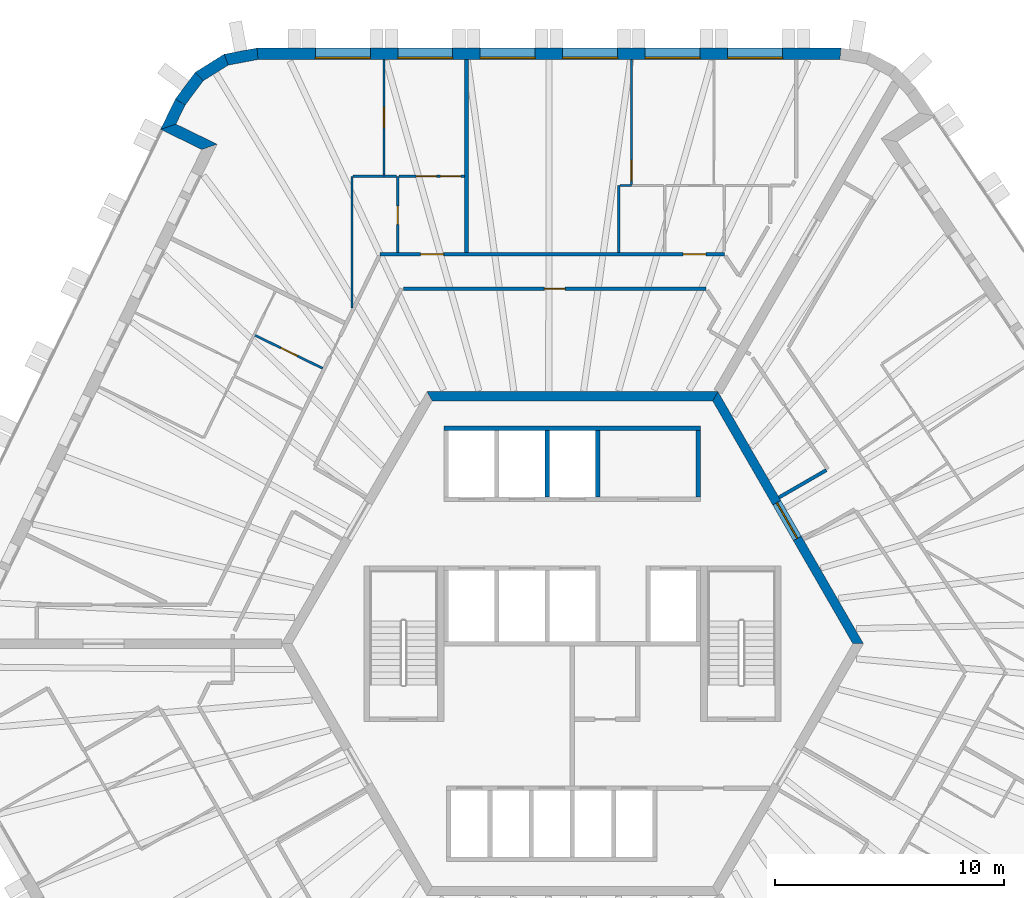
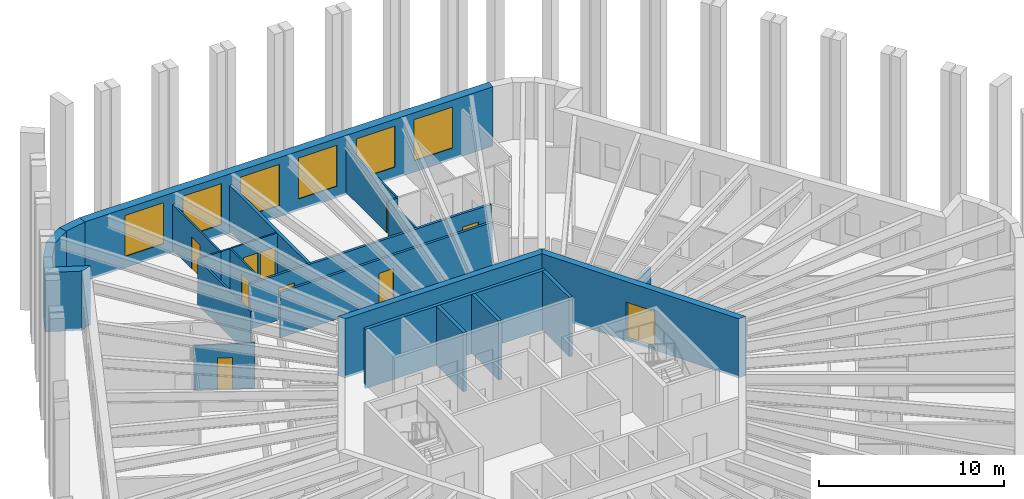
# One storey, part 9 of 13: 26 walls, 10 doors, 6 windows, 16 openings.
"""IFC4 building model written with IfcOpenShell, lengths in metres."""

from ifc_helpers import new_model, si_unit, direction, frame, frame_2d, origin, place, context, subcontext, project, spatial, polyline, rectangle, outline, extrude, material, layer, layer_set, type_object, element, fill, save


model = new_model("IFC4")

# Units and contexts
model_context = context("Model", 3, precision=1e-05, world=origin(), true_north=direction((0.0, 1.0)))
body_context = subcontext(model_context, "Body", "Model", "MODEL_VIEW")
ifc_project = project(units=[si_unit("LENGTHUNIT", "METRE"), si_unit("AREAUNIT", "SQUARE_METRE"), si_unit("VOLUMEUNIT", "CUBIC_METRE"), si_unit("PLANEANGLEUNIT", "RADIAN"), si_unit("MASSUNIT", "GRAM", prefix="KILO")], contexts=[model_context])

# Site, building, storey
site_placement = place(None, origin())
site = spatial("IfcSite", under=ifc_project, at=site_placement, CompositionType="ELEMENT")
building_placement = place(site_placement, origin())
building = spatial("IfcBuilding", under=site, at=building_placement, Name="Tarnside Tower", CompositionType="ELEMENT")
storey_placement = place(building_placement, frame((0.0, 0.0, 267.89990234375)))
storey = spatial("IfcBuildingStorey", under=building, at=storey_placement, Name="L64", CompositionType="ELEMENT", Elevation=267.89990234375)

# Walls
ifc_material_1 = material(Name="Gypsum board partition on steel studs", Category="steel")
ifc_layer_1 = layer(ifc_material_1, 0.10009765625)
ifc_layer_set_1 = layer_set([ifc_layer_1], Name="Bathroom wall 100")
wall_type_1 = type_object("IfcWallType", Name="Bathroom wall 100", PredefinedType="PARTITIONING", material=ifc_layer_set_1)
wall_1_placement = place(storey_placement, frame((2.026611328125, 17.074951171875, 0.0), z_axis=(0.0, 0.0, 1.0), x_axis=(0.0, 1.0, 0.0)))
element("IfcWall", 1, at=wall_1_placement, inside=storey, type_object=wall_type_1, Name="Bathroom wall 21086", PredefinedType="PARTITIONING", context=body_context, shape_type="SweptSolid", body=[
    extrude(rectangle(XDim=2.925048828125, YDim=0.10009765625, at=frame_2d((1.46240234375, 0.0))), origin(), (0.0, 0.0, 1.0), 2.98779296875),
])
wall_2_placement = place(storey_placement, frame((2.07666015625, 20.0, 0.0), z_axis=(0.0, 0.0, 1.0), x_axis=(1.0, 0.0, 0.0)))
element("IfcWall", 2, at=wall_2_placement, inside=storey, type_object=wall_type_1, Name="Bathroom wall 21087", PredefinedType="PARTITIONING", context=body_context, shape_type="SweptSolid", body=[
    extrude(rectangle(XDim=0.50048828125, YDim=0.10009765625, at=frame_2d((0.250244140625, 0.0))), origin(), (0.0, 0.0, 1.0), 2.98779296875),
])
wall_3_placement = place(storey_placement, frame((-9.624755859375, 14.655029296875, 0.0), z_axis=(0.0, 0.0, 1.0), x_axis=(0.0, 1.0, 0.0)))
element("IfcWall", 3, at=wall_3_placement, inside=storey, type_object=wall_type_1, Name="Bathroom wall 21098", PredefinedType="PARTITIONING", context=body_context, shape_type="SweptSolid", body=[
    extrude(rectangle(XDim=5.744873046875, YDim=0.10009765625, at=frame_2d((2.87255859375, 0.0))), origin(), (0.0, 0.0, 1.0), 2.98779296875),
])
wall_4_placement = place(storey_placement, frame((-9.57470703125, 20.39990234375, 0.0), z_axis=(0.0, 0.0, 1.0), x_axis=(1.0, 0.0, 0.0)))
element("IfcWall", 4, at=wall_4_placement, inside=storey, type_object=wall_type_1, Name="Bathroom wall 21099", PredefinedType="PARTITIONING", context=body_context, shape_type="SweptSolid", body=[
    extrude(rectangle(XDim=1.351806640625, YDim=0.10009765625, at=frame_2d((0.67578125, 0.0))), origin(), (0.0, 0.0, 1.0), 2.98779296875),
])

# Wall, opening, door
wall_5_placement = place(storey_placement, frame((-7.624755859375, 20.39990234375, 0.0), z_axis=(0.0, 0.0, 1.0), x_axis=(0.0, -1.0, 0.0)))
wall_5 = element("IfcWall", 5, at=wall_5_placement, inside=storey, type_object=wall_type_1, Name="Bathroom wall 21103", PredefinedType="PARTITIONING", context=body_context, shape_type="SweptSolid", body=[
    extrude(rectangle(XDim=3.324951171875, YDim=0.10009765625, at=frame_2d((1.66259765625, 0.0))), origin(), (0.0, 0.0, 1.0), 2.98779296875),
])
opening_1_placement = place(wall_5_placement, frame((1.300048828125, 0.0, 0.0)))
opening_1 = element("IfcOpeningElement", 6, at=opening_1_placement, cuts=wall_5, Name="Opening D-B1", PredefinedType="OPENING", context=body_context, shape_type="SweptSolid", body=[
    extrude(rectangle(XDim=0.800048828125, YDim=2.10009765625, at=frame_2d((0.39990234375, 1.050048828125))), frame((0.0, 0.06005859375, 0.0), z_axis=(0.0, -1.0, 0.0), x_axis=(1.0, 0.0, 0.0)), (0.0, 0.0, 1.0), 0.1201171875),
])
ifc_material_2 = material(Name="Timber door leaf", Category="wood")
door_type_1 = type_object("IfcDoorType", Name="Bathroom door 800", OperationType="NOTDEFINED", PredefinedType="DOOR", material=ifc_material_2)
door_1_placement = place(opening_1_placement, origin())
door_1 = element("IfcDoor", 7, at=door_1_placement, inside=storey, type_object=door_type_1, Name="Bathroom door 21013", OperationType="SINGLE_SWING_LEFT", OverallHeight=2.10009765625, OverallWidth=0.800048828125, PredefinedType="DOOR", context=body_context, shape_type="SweptSolid", body=[
    extrude(rectangle(XDim=0.800048828125, YDim=2.10009765625, at=frame_2d((0.39990234375, 1.050048828125))), frame((0.0, 0.02490234375, 0.0), z_axis=(0.0, -1.0, 0.0), x_axis=(1.0, 0.0, 0.0)), (0.0, 0.0, 1.0), 0.050048828125),
])
fill(opening_1, door_1)

# Wall
wall_6_placement = place(storey_placement, frame((-7.6728515625, 20.39990234375, 0.0), z_axis=(0.0, 0.0, 1.0), x_axis=(-1.0, 0.0, 0.0)))
element("IfcWall", 8, at=wall_6_placement, inside=storey, type_object=wall_type_1, Name="Bathroom wall 21105", PredefinedType="PARTITIONING", context=body_context, shape_type="SweptSolid", body=[
    extrude(rectangle(XDim=0.552001953125, YDim=0.10009765625, at=frame_2d((0.27587890625, 0.0))), origin(), (0.0, 0.0, 1.0), 2.98779296875),
])

# Wall, opening, door
wall_7_placement = place(storey_placement, frame((-13.896728515625, 13.48095703125, 0.0), z_axis=(0.0, 0.0, 1.0), x_axis=(0.898803726577, -0.438351298723, 0.0)))
wall_7 = element("IfcWall", 9, at=wall_7_placement, inside=storey, type_object=wall_type_1, Name="Bathroom wall 21110", PredefinedType="PARTITIONING", context=body_context, shape_type="SweptSolid", body=[
    extrude(rectangle(XDim=3.324951171875, YDim=0.10009765625, at=frame_2d((1.66259765625, 0.0))), origin(), (0.0, 0.0, 1.0), 2.98779296875),
])
opening_2_placement = place(wall_7_placement, frame((1.300048828125, 0.0, 0.0)))
opening_2 = element("IfcOpeningElement", 10, at=opening_2_placement, cuts=wall_7, Name="Opening D-B1", PredefinedType="OPENING", context=body_context, shape_type="SweptSolid", body=[
    extrude(rectangle(XDim=0.800048828125, YDim=2.10009765625, at=frame_2d((0.39990234375, 1.050048828125))), frame((0.0, 0.06005859375, 0.0), z_axis=(0.0, -1.0, 0.0), x_axis=(1.0, 0.0, 0.0)), (0.0, 0.0, 1.0), 0.1201171875),
])
door_2_placement = place(opening_2_placement, origin())
door_2 = element("IfcDoor", 11, at=door_2_placement, inside=storey, type_object=door_type_1, Name="Bathroom door 21018", OperationType="SINGLE_SWING_LEFT", OverallHeight=2.10009765625, OverallWidth=0.800048828125, PredefinedType="DOOR", context=body_context, shape_type="SweptSolid", body=[
    extrude(rectangle(XDim=0.800048828125, YDim=2.10009765625, at=frame_2d((0.39990234375, 1.050048828125))), frame((0.0, 0.02490234375, 0.0), z_axis=(0.0, -1.0, 0.0), x_axis=(1.0, 0.0, 0.0)), (0.0, 0.0, 1.0), 0.050048828125),
])
fill(opening_2, door_2)

ifc_material_3 = material(Name="Concrete C60/75", Category="concrete")
ifc_layer_2 = layer(ifc_material_3, 0.39990234375)
ifc_layer_set_2 = layer_set([ifc_layer_2], Name="Core wall Z3 400 C60/75")
wall_type_2 = type_object("IfcWallType", Name="Core wall Z3 400 C60/75", PredefinedType="SHEAR", material=ifc_layer_set_2)
wall_8_placement = place(storey_placement, frame((12.470703125, 0.0, -0.14990234375), z_axis=(0.0, 0.0, 1.0), x_axis=(-0.499996419489, 0.866027470984, 0.0)))
wall_8 = element("IfcWall", 12, at=wall_8_placement, inside=storey, type_object=wall_type_2, Name="L64 core wall face 6", PredefinedType="SHEAR", context=body_context, shape_type="SweptSolid", body=[
    extrude(outline(polyline([(-0.115478515625, -0.199951171875), (12.586181640625, -0.199951171875), (12.355224609375, 0.199951171875), (0.115478515625, 0.199951171875), (-0.115478515625, -0.199951171875)])), origin(), (0.0, 0.0, 1.0), 3.89990234375),
])
opening_3_placement = place(wall_8_placement, frame((5.306396484375, 0.0, 0.14990234375)))
opening_3 = element("IfcOpeningElement", 13, at=opening_3_placement, cuts=wall_8, Name="Opening CD-LOB", PredefinedType="OPENING", context=body_context, shape_type="SweptSolid", body=[
    extrude(rectangle(XDim=1.800048828125, YDim=2.39990234375, at=frame_2d((0.89990234375, 1.199951171875))), frame((0.0, 0.2099609375, 0.0), z_axis=(0.0, -1.0, 0.0), x_axis=(1.0, 0.0, 0.0)), (0.0, 0.0, 1.0), 0.419921875),
])
ifc_material_4 = material(Name="Steel fire door", Category="steel")
door_type_2 = type_object("IfcDoorType", Name="Lobby double door FD30S 1800x2400", OperationType="NOTDEFINED", PredefinedType="DOOR", material=ifc_material_4)
door_3_placement = place(opening_3_placement, origin())
door_3 = element("IfcDoor", 14, at=door_3_placement, inside=storey, type_object=door_type_2, Name="L64 core door P2", OperationType="DOUBLE_DOOR_SINGLE_SWING", OverallHeight=2.39990234375, OverallWidth=1.800048828125, PredefinedType="DOOR", context=body_context, shape_type="SweptSolid", body=[
    extrude(rectangle(XDim=1.800048828125, YDim=2.39990234375, at=frame_2d((0.89990234375, 1.199951171875))), frame((0.0, 0.02490234375, 0.0), z_axis=(0.0, -1.0, 0.0), x_axis=(1.0, 0.0, 0.0)), (0.0, 0.0, 1.0), 0.050048828125),
])
fill(opening_3, door_3)

# Wall
wall_9_placement = place(storey_placement, frame((6.2353515625, 10.800048828125, -0.14990234375), z_axis=(0.0, 0.0, 1.0), x_axis=(-1.0, 0.0, 0.0)))
element("IfcWall", 15, at=wall_9_placement, inside=storey, type_object=wall_type_2, Name="L64 core wall face 1", PredefinedType="SHEAR", context=body_context, shape_type="SweptSolid", body=[
    extrude(outline(polyline([(-0.115478515625, -0.199951171875), (12.586181640625, -0.199951171875), (12.355224609375, 0.199951171875), (0.115478515625, 0.199951171875), (-0.115478515625, -0.199951171875)])), origin(), (0.0, 0.0, 1.0), 3.89990234375),
])

# Wall, openings, doors
ifc_layer_3 = layer(ifc_material_1, 0.14990234375)
ifc_layer_set_3 = layer_set([ifc_layer_3], Name="Corridor wall 150 EI 60")
wall_type_3 = type_object("IfcWallType", Name="Corridor wall 150 EI 60", PredefinedType="PARTITIONING", material=ifc_layer_set_3)
wall_10_placement = place(storey_placement, frame((6.626708984375, 17.0, 0.0), z_axis=(0.0, 0.0, 1.0), x_axis=(-1.0, 0.0, 0.0)))
wall_10 = element("IfcWall", 16, at=wall_10_placement, inside=storey, type_object=wall_type_3, Name="Corridor wall 21001", PredefinedType="PARTITIONING", context=body_context, shape_type="SweptSolid", body=[
    extrude(rectangle(XDim=15.024169921875, YDim=0.14990234375, at=frame_2d((7.51220703125, 0.0))), origin(), (0.0, 0.0, 1.0), 2.98779296875),
])
opening_4_placement = place(wall_10_placement, frame((0.800048828125, 0.0, 0.0)))
opening_4 = element("IfcOpeningElement", 17, at=opening_4_placement, cuts=wall_10, Name="Opening D-E1", PredefinedType="OPENING", context=body_context, shape_type="SweptSolid", body=[
    extrude(rectangle(XDim=1.0, YDim=2.10009765625, at=frame_2d((0.5, 1.050048828125))), frame((0.0, 0.0849609375, 0.0), z_axis=(0.0, -1.0, 0.0), x_axis=(1.0, 0.0, 0.0)), (0.0, 0.0, 1.0), 0.169921875),
])
opening_5_placement = place(wall_10_placement, frame((12.25146484375, 0.0, 0.0)))
opening_5 = element("IfcOpeningElement", 18, at=opening_5_placement, cuts=wall_10, Name="Opening D-E1", PredefinedType="OPENING", context=body_context, shape_type="SweptSolid", body=[
    extrude(rectangle(XDim=1.0, YDim=2.10009765625, at=frame_2d((0.5, 1.050048828125))), frame((0.0, 0.0849609375, 0.0), z_axis=(0.0, -1.0, 0.0), x_axis=(1.0, 0.0, 0.0)), (0.0, 0.0, 1.0), 0.169921875),
])
door_type_3 = type_object("IfcDoorType", Name="Unit entrance door 1000 FD30S", OperationType="NOTDEFINED", PredefinedType="DOOR", material=ifc_material_2)
door_4_placement = place(opening_4_placement, origin())
door_4 = element("IfcDoor", 19, at=door_4_placement, inside=storey, type_object=door_type_3, Name="Unit door 21001", OperationType="SINGLE_SWING_LEFT", OverallHeight=2.10009765625, OverallWidth=1.0, PredefinedType="DOOR", context=body_context, shape_type="SweptSolid", body=[
    extrude(rectangle(XDim=1.0, YDim=2.10009765625, at=frame_2d((0.5, 1.050048828125))), frame((0.0, 0.02490234375, 0.0), z_axis=(0.0, -1.0, 0.0), x_axis=(1.0, 0.0, 0.0)), (0.0, 0.0, 1.0), 0.050048828125),
])
fill(opening_4, door_4)
door_5_placement = place(opening_5_placement, origin())
door_5 = element("IfcDoor", 20, at=door_5_placement, inside=storey, type_object=door_type_3, Name="Unit door 21012", OperationType="SINGLE_SWING_LEFT", OverallHeight=2.10009765625, OverallWidth=1.0, PredefinedType="DOOR", context=body_context, shape_type="SweptSolid", body=[
    extrude(rectangle(XDim=1.0, YDim=2.10009765625, at=frame_2d((0.5, 1.050048828125))), frame((0.0, 0.02490234375, 0.0), z_axis=(0.0, -1.0, 0.0), x_axis=(1.0, 0.0, 0.0)), (0.0, 0.0, 1.0), 0.050048828125),
])
fill(opening_5, door_5)

# Wall, opening, door
wall_11_placement = place(storey_placement, frame((-7.376708984375, 15.5, 0.0), z_axis=(0.0, 0.0, 1.0), x_axis=(1.0, 0.0, 0.0)))
wall_11 = element("IfcWall", 21, at=wall_11_placement, inside=storey, type_object=wall_type_3, Name="Corridor wall 21022", PredefinedType="PARTITIONING", context=body_context, shape_type="SweptSolid", body=[
    extrude(rectangle(XDim=13.205810546875, YDim=0.14990234375, at=frame_2d((6.60302734375, 0.0))), origin(), (0.0, 0.0, 1.0), 2.98779296875),
])
opening_6_placement = place(wall_11_placement, frame((6.15283203125, 0.0, 0.0)))
opening_6 = element("IfcOpeningElement", 22, at=opening_6_placement, cuts=wall_11, Name="Opening D-S1", PredefinedType="OPENING", context=body_context, shape_type="SweptSolid", body=[
    extrude(rectangle(XDim=0.89990234375, YDim=2.10009765625, at=frame_2d((0.449951171875, 1.050048828125))), frame((0.0, 0.0849609375, 0.0), z_axis=(0.0, -1.0, 0.0), x_axis=(1.0, 0.0, 0.0)), (0.0, 0.0, 1.0), 0.169921875),
])
door_type_4 = type_object("IfcDoorType", Name="Service room door 900 FD30S", OperationType="NOTDEFINED", PredefinedType="DOOR", material=ifc_material_2)
door_6_placement = place(opening_6_placement, origin())
door_6 = element("IfcDoor", 23, at=door_6_placement, inside=storey, type_object=door_type_4, Name="Service door 21069", OperationType="SINGLE_SWING_LEFT", OverallHeight=2.10009765625, OverallWidth=0.89990234375, PredefinedType="DOOR", context=body_context, shape_type="SweptSolid", body=[
    extrude(rectangle(XDim=0.89990234375, YDim=2.10009765625, at=frame_2d((0.449951171875, 1.050048828125))), frame((0.0, 0.02490234375, 0.0), z_axis=(0.0, -1.0, 0.0), x_axis=(1.0, 0.0, 0.0)), (0.0, 0.0, 1.0), 0.050048828125),
])
fill(opening_6, door_6)

# Walls
wall_12_placement = place(storey_placement, frame((11.082275390625, 7.57763671875, 0.0), z_axis=(0.0, 0.0, 1.0), x_axis=(-0.865993065409, -0.500056007527, 0.0)))
element("IfcWall", 24, at=wall_12_placement, inside=storey, type_object=wall_type_3, Name="Corridor wall 21085", PredefinedType="PARTITIONING", context=body_context, shape_type="SweptSolid", body=[
    extrude(rectangle(XDim=2.386474609375, YDim=0.14990234375, at=frame_2d((1.193359375, 0.0))), origin(), (0.0, 0.0, 1.0), 2.98779296875),
])
ifc_layer_4 = layer(ifc_material_1, 0.179931640625)
ifc_layer_set_4 = layer_set([ifc_layer_4], Name="Demising wall 180 EI 60")
wall_type_4 = type_object("IfcWallType", Name="Demising wall 180 EI 60", PredefinedType="PARTITIONING", material=ifc_layer_set_4)
wall_13_placement = place(storey_placement, frame((-4.624755859375, 25.5, 0.0), z_axis=(0.0, 0.0, 1.0), x_axis=(0.0, -1.0, 0.0)))
element("IfcWall", 25, at=wall_13_placement, inside=storey, type_object=wall_type_4, Name="Demising wall 21089", PredefinedType="PARTITIONING", context=body_context, shape_type="SweptSolid", body=[
    extrude(rectangle(XDim=8.425048828125, YDim=0.179931640625, at=frame_2d((4.21240234375, 0.0))), origin(), (0.0, 0.0, 1.0), 2.98779296875),
])
ifc_material_5 = material(Name="Concrete C40/50", Category="concrete")
ifc_layer_5 = layer(ifc_material_5, 0.199951171875)
ifc_layer_set_5 = layer_set([ifc_layer_5], Name="Lift shaft wall 200 C40/50")
wall_type_5 = type_object("IfcWallType", Name="Lift shaft wall 200 C40/50", PredefinedType="SHEAR", material=ifc_layer_set_5)
wall_14_placement = place(storey_placement, frame((-5.60009765625, 9.39990234375, -0.25), z_axis=(0.0, 0.0, 1.0), x_axis=(1.0, 0.0, 0.0)))
element("IfcWall", 26, at=wall_14_placement, inside=storey, type_object=wall_type_5, Name="L64 lift shaft back wall R1", PredefinedType="SHEAR", context=body_context, shape_type="SweptSolid", body=[
    extrude(rectangle(XDim=11.2001953125, YDim=0.199951171875, at=frame_2d((5.60009765625, 0.0))), origin(), (0.0, 0.0, 1.0), 3.900146484375),
])
for number, where, z_axis, x_axis, name in (
    (27, (-1.10009765625, 6.39990234375, -0.25), (0.0, 0.0, 1.0), (0.0, 1.0, 0.0), "L64 lift shaft partition R13"),
    (28, (1.10009765625, 6.39990234375, -0.25), (0.0, 0.0, 1.0), (0.0, 1.0, 0.0), "L64 lift shaft partition R14"),
    (29, (5.5, 6.39990234375, -0.25), (0.0, 0.0, 1.0), (0.0, 1.0, 0.0), "L64 lift shaft partition R16"),
):
    element("IfcWall", number, at=place(storey_placement, frame(where, z_axis=z_axis, x_axis=x_axis)), inside=storey, type_object=wall_type_5, Name=name, PredefinedType="SHEAR", context=body_context, shape_type="SweptSolid", body=[
        extrude(rectangle(XDim=2.900146484375, YDim=0.199951171875, at=frame_2d((1.4501953125, 0.0))), origin(), (0.0, 0.0, 1.0), 3.900146484375),
    ])
ifc_material_6 = material(Name="Dark zinc cladding")
ifc_layer_6 = layer(ifc_material_6, 0.10205078125)
ifc_material_7 = material(Name="Concrete C60/75 precast", Category="concrete")
ifc_layer_7 = layer(ifc_material_7, 0.298095703125)
ifc_material_8 = material(Name="Mineral wool insulation")
ifc_layer_8 = layer(ifc_material_8, 0.10009765625)
ifc_layer_set_6 = layer_set([ifc_layer_6, ifc_layer_7, ifc_layer_8], Name="Loggia wall 500 zinc faced")
wall_type_6 = type_object("IfcWallType", Name="Loggia wall 500 zinc faced", PredefinedType="SOLIDWALL", material=ifc_layer_set_6)
wall_15_placement = place(storey_placement, frame((-17.11767578125, 23.643798828125, -0.14990234375), z_axis=(0.0, 0.0, 1.0), x_axis=(-0.438319390103, -0.898819287877, 0.0)))
element("IfcWall", 30, at=wall_15_placement, inside=storey, type_object=wall_type_6, Name="Tube wall L64 F2 stub 04", PredefinedType="SOLIDWALL", context=body_context, shape_type="SweptSolid", body=[
    extrude(outline(polyline([(-0.0234375, -0.25), (1.44970703125, -0.25), (0.94970703125, 0.25), (0.0234375, 0.25), (-0.0234375, -0.25)])), origin(), (0.0, 0.0, 1.0), 3.89990234375),
])
wall_16_placement = place(storey_placement, frame((-17.6435546875, 22.5654296875, -0.14990234375), z_axis=(0.0, 0.0, 1.0), x_axis=(0.898754367686, -0.43845249066, 0.0)))
element("IfcWall", 31, at=wall_16_placement, inside=storey, type_object=wall_type_6, Name="Tube wall L64 F2 return 05", PredefinedType="SOLIDWALL", context=body_context, shape_type="SweptSolid", body=[
    extrude(outline(polyline([(-0.25, -0.25), (1.75, -0.25), (2.25, 0.25), (0.25, 0.25), (-0.25, -0.25)])), origin(), (0.0, 0.0, 1.0), 3.89990234375),
])

# Wall, opening, door
ifc_layer_9 = layer(ifc_material_1, 0.10009765625)
ifc_layer_set_7 = layer_set([ifc_layer_9], Name="Partition 100")
wall_type_7 = type_object("IfcWallType", Name="Partition 100", PredefinedType="PARTITIONING", material=ifc_layer_set_7)
wall_17_placement = place(storey_placement, frame((2.5751953125, 20.050048828125, 0.0), z_axis=(0.0, 0.0, 1.0), x_axis=(0.0, 1.0, 0.0)))
wall_17 = element("IfcWall", 32, at=wall_17_placement, inside=storey, type_object=wall_type_7, Name="Partition wall 21088", PredefinedType="PARTITIONING", context=body_context, shape_type="SweptSolid", body=[
    extrude(rectangle(XDim=5.449951171875, YDim=0.10009765625, at=frame_2d((2.72509765625, 0.0))), origin(), (0.0, 0.0, 1.0), 2.98779296875),
])
opening_7_placement = place(wall_17_placement, frame((0.14990234375, 0.0, 0.0)))
opening_7 = element("IfcOpeningElement", 33, at=opening_7_placement, cuts=wall_17, Name="Opening D-I1", PredefinedType="OPENING", context=body_context, shape_type="SweptSolid", body=[
    extrude(rectangle(XDim=0.89990234375, YDim=2.10009765625, at=frame_2d((0.449951171875, 1.050048828125))), frame((0.0, 0.06005859375, 0.0), z_axis=(0.0, -1.0, 0.0), x_axis=(1.0, 0.0, 0.0)), (0.0, 0.0, 1.0), 0.1201171875),
])
door_type_5 = type_object("IfcDoorType", Name="Internal door 900", OperationType="NOTDEFINED", PredefinedType="DOOR", material=ifc_material_2)
door_7_placement = place(opening_7_placement, origin())
door_7 = element("IfcDoor", 34, at=door_7_placement, inside=storey, type_object=door_type_5, Name="Internal door 21010", OperationType="SINGLE_SWING_RIGHT", OverallHeight=2.10009765625, OverallWidth=0.89990234375, PredefinedType="DOOR", context=body_context, shape_type="SweptSolid", body=[
    extrude(rectangle(XDim=0.89990234375, YDim=2.10009765625, at=frame_2d((0.449951171875, 1.050048828125))), frame((0.0, 0.02490234375, 0.0), z_axis=(0.0, -1.0, 0.0), x_axis=(1.0, 0.0, 0.0)), (0.0, 0.0, 1.0), 0.050048828125),
])
fill(opening_7, door_7)

wall_18_placement = place(storey_placement, frame((-8.224853515625, 20.449951171875, 0.0), z_axis=(0.0, 0.0, 1.0), x_axis=(0.0, 1.0, 0.0)))
wall_18 = element("IfcWall", 35, at=wall_18_placement, inside=storey, type_object=wall_type_7, Name="Partition wall 21100", PredefinedType="PARTITIONING", context=body_context, shape_type="SweptSolid", body=[
    extrude(rectangle(XDim=5.050048828125, YDim=0.10009765625, at=frame_2d((2.52490234375, 0.0))), origin(), (0.0, 0.0, 1.0), 2.98779296875),
])
opening_8_placement = place(wall_18_placement, frame((2.074951171875, 0.0, 0.0)))
opening_8 = element("IfcOpeningElement", 36, at=opening_8_placement, cuts=wall_18, Name="Opening D-I1", PredefinedType="OPENING", context=body_context, shape_type="SweptSolid", body=[
    extrude(rectangle(XDim=0.89990234375, YDim=2.10009765625, at=frame_2d((0.449951171875, 1.050048828125))), frame((0.0, 0.06005859375, 0.0), z_axis=(0.0, -1.0, 0.0), x_axis=(1.0, 0.0, 0.0)), (0.0, 0.0, 1.0), 0.1201171875),
])
door_8_placement = place(opening_8_placement, origin())
door_8 = element("IfcDoor", 37, at=door_8_placement, inside=storey, type_object=door_type_5, Name="Internal door 21068", OperationType="SINGLE_SWING_RIGHT", OverallHeight=2.10009765625, OverallWidth=0.89990234375, PredefinedType="DOOR", context=body_context, shape_type="SweptSolid", body=[
    extrude(rectangle(XDim=0.89990234375, YDim=2.10009765625, at=frame_2d((0.449951171875, 1.050048828125))), frame((0.0, 0.02490234375, 0.0), z_axis=(0.0, -1.0, 0.0), x_axis=(1.0, 0.0, 0.0)), (0.0, 0.0, 1.0), 0.050048828125),
])
fill(opening_8, door_8)

# Wall, openings, doors
wall_19_placement = place(storey_placement, frame((-4.71484375, 20.39990234375, 0.0), z_axis=(0.0, 0.0, 1.0), x_axis=(-1.0, 0.0, 0.0)))
wall_19 = element("IfcWall", 38, at=wall_19_placement, inside=storey, type_object=wall_type_7, Name="Partition wall 21104", PredefinedType="PARTITIONING", context=body_context, shape_type="SweptSolid", body=[
    extrude(rectangle(XDim=2.862060546875, YDim=0.10009765625, at=frame_2d((1.43115234375, 0.0))), origin(), (0.0, 0.0, 1.0), 2.98779296875),
])
opening_9_placement = place(wall_19_placement, frame((0.14990234375, 0.0, 0.0)))
opening_9 = element("IfcOpeningElement", 39, at=opening_9_placement, cuts=wall_19, Name="Opening D-I1", PredefinedType="OPENING", context=body_context, shape_type="SweptSolid", body=[
    extrude(rectangle(XDim=0.89990234375, YDim=2.10009765625, at=frame_2d((0.449951171875, 1.050048828125))), frame((0.0, 0.06005859375, 0.0), z_axis=(0.0, -1.0, 0.0), x_axis=(1.0, 0.0, 0.0)), (0.0, 0.0, 1.0), 0.1201171875),
])
opening_10_placement = place(wall_19_placement, frame((1.2099609375, 0.0, 0.0)))
opening_10 = element("IfcOpeningElement", 40, at=opening_10_placement, cuts=wall_19, Name="Opening D-I1", PredefinedType="OPENING", context=body_context, shape_type="SweptSolid", body=[
    extrude(rectangle(XDim=0.89990234375, YDim=2.10009765625, at=frame_2d((0.449951171875, 1.050048828125))), frame((0.0, 0.06005859375, 0.0), z_axis=(0.0, -1.0, 0.0), x_axis=(1.0, 0.0, 0.0)), (0.0, 0.0, 1.0), 0.1201171875),
])
door_9_placement = place(opening_9_placement, origin())
door_9 = element("IfcDoor", 41, at=door_9_placement, inside=storey, type_object=door_type_5, Name="Internal door 21015", OperationType="SINGLE_SWING_LEFT", OverallHeight=2.10009765625, OverallWidth=0.89990234375, PredefinedType="DOOR", context=body_context, shape_type="SweptSolid", body=[
    extrude(rectangle(XDim=0.89990234375, YDim=2.10009765625, at=frame_2d((0.449951171875, 1.050048828125))), frame((0.0, 0.02490234375, 0.0), z_axis=(0.0, -1.0, 0.0), x_axis=(1.0, 0.0, 0.0)), (0.0, 0.0, 1.0), 0.050048828125),
])
fill(opening_9, door_9)
door_10_placement = place(opening_10_placement, origin())
door_10 = element("IfcDoor", 42, at=door_10_placement, inside=storey, type_object=door_type_5, Name="Internal door 21016", OperationType="SINGLE_SWING_LEFT", OverallHeight=2.10009765625, OverallWidth=0.89990234375, PredefinedType="DOOR", context=body_context, shape_type="SweptSolid", body=[
    extrude(rectangle(XDim=0.89990234375, YDim=2.10009765625, at=frame_2d((0.449951171875, 1.050048828125))), frame((0.0, 0.02490234375, 0.0), z_axis=(0.0, -1.0, 0.0), x_axis=(1.0, 0.0, 0.0)), (0.0, 0.0, 1.0), 0.050048828125),
])
fill(opening_10, door_10)

# Wall, openings, windows
ifc_material_9 = material(Name="Facing brick", Category="masonry")
ifc_layer_10 = layer(ifc_material_9, 0.10205078125)
ifc_layer_11 = layer(ifc_material_7, 0.298095703125)
ifc_layer_12 = layer(ifc_material_8, 0.10009765625)
ifc_layer_set_8 = layer_set([ifc_layer_10, ifc_layer_11, ifc_layer_12], Name="Tube wall 500 brick faced")
wall_type_8 = type_object("IfcWallType", Name="Tube wall 500 brick faced", PredefinedType="SOLIDWALL", material=ifc_layer_set_8)
wall_20_placement = place(storey_placement, frame((11.697509765625, 25.75, -0.14990234375), z_axis=(0.0, 0.0, 1.0), x_axis=(-1.0, 0.0, 0.0)))
wall_20 = element("IfcWall", 43, at=wall_20_placement, inside=storey, type_object=wall_type_8, Name="Tube wall L64 F1 flush 00", PredefinedType="SOLIDWALL", context=body_context, shape_type="SweptSolid", body=[
    extrude(outline(polyline([(-0.0205078125, -0.25), (25.468017578125, -0.25), (25.421142578125, 0.25), (0.0205078125, 0.25), (-0.0205078125, -0.25)])), origin(), (0.0, 0.0, 1.0), 3.89990234375),
])
opening_11_placement = place(wall_20_placement, frame((2.5224609375, 0.0, 0.75)))
opening_11 = element("IfcOpeningElement", 44, at=opening_11_placement, cuts=wall_20, Name="Opening WR", PredefinedType="OPENING", context=body_context, shape_type="SweptSolid", body=[
    extrude(rectangle(XDim=2.39990234375, YDim=2.699951171875, at=frame_2d((1.199951171875, 1.35009765625))), frame((0.0, 0.260009765625, 0.0), z_axis=(0.0, -1.0, 0.0), x_axis=(1.0, 0.0, 0.0)), (0.0, 0.0, 1.0), 0.52001953125),
])
opening_12_placement = place(wall_20_placement, frame((6.122314453125, 0.0, 0.75)))
opening_12 = element("IfcOpeningElement", 45, at=opening_12_placement, cuts=wall_20, Name="Opening WR", PredefinedType="OPENING", context=body_context, shape_type="SweptSolid", body=[
    extrude(rectangle(XDim=2.39990234375, YDim=2.699951171875, at=frame_2d((1.199951171875, 1.35009765625))), frame((0.0, 0.260009765625, 0.0), z_axis=(0.0, -1.0, 0.0), x_axis=(1.0, 0.0, 0.0)), (0.0, 0.0, 1.0), 0.52001953125),
])
opening_13_placement = place(wall_20_placement, frame((9.722412109375, 0.0, 0.75)))
opening_13 = element("IfcOpeningElement", 46, at=opening_13_placement, cuts=wall_20, Name="Opening WR", PredefinedType="OPENING", context=body_context, shape_type="SweptSolid", body=[
    extrude(rectangle(XDim=2.39990234375, YDim=2.699951171875, at=frame_2d((1.199951171875, 1.35009765625))), frame((0.0, 0.260009765625, 0.0), z_axis=(0.0, -1.0, 0.0), x_axis=(1.0, 0.0, 0.0)), (0.0, 0.0, 1.0), 0.52001953125),
])
opening_14_placement = place(wall_20_placement, frame((13.322509765625, 0.0, 0.75)))
opening_14 = element("IfcOpeningElement", 47, at=opening_14_placement, cuts=wall_20, Name="Opening WR", PredefinedType="OPENING", context=body_context, shape_type="SweptSolid", body=[
    extrude(rectangle(XDim=2.39990234375, YDim=2.699951171875, at=frame_2d((1.199951171875, 1.35009765625))), frame((0.0, 0.260009765625, 0.0), z_axis=(0.0, -1.0, 0.0), x_axis=(1.0, 0.0, 0.0)), (0.0, 0.0, 1.0), 0.52001953125),
])
opening_15_placement = place(wall_20_placement, frame((16.92236328125, 0.0, 0.75)))
opening_15 = element("IfcOpeningElement", 48, at=opening_15_placement, cuts=wall_20, Name="Opening WR", PredefinedType="OPENING", context=body_context, shape_type="SweptSolid", body=[
    extrude(rectangle(XDim=2.39990234375, YDim=2.699951171875, at=frame_2d((1.199951171875, 1.35009765625))), frame((0.0, 0.260009765625, 0.0), z_axis=(0.0, -1.0, 0.0), x_axis=(1.0, 0.0, 0.0)), (0.0, 0.0, 1.0), 0.52001953125),
])
opening_16_placement = place(wall_20_placement, frame((20.5224609375, 0.0, 0.75)))
opening_16 = element("IfcOpeningElement", 49, at=opening_16_placement, cuts=wall_20, Name="Opening WR", PredefinedType="OPENING", context=body_context, shape_type="SweptSolid", body=[
    extrude(rectangle(XDim=2.39990234375, YDim=2.699951171875, at=frame_2d((1.199951171875, 1.35009765625))), frame((0.0, 0.260009765625, 0.0), z_axis=(0.0, -1.0, 0.0), x_axis=(1.0, 0.0, 0.0)), (0.0, 0.0, 1.0), 0.52001953125),
])
ifc_material_10 = material(Name="Aluminium-framed double glazing", Category="aluminium")
window_type = type_object("IfcWindowType", Name="Residence window 2400 x 2700", PartitioningType="DOUBLE_PANEL_VERTICAL", PredefinedType="WINDOW", material=ifc_material_10)
window_1_placement = place(opening_11_placement, frame((0.0, 0.179931640625, 0.0)))
window_1 = element("IfcWindow", 50, at=window_1_placement, inside=storey, type_object=window_type, Name="E.WN.L64.F1.00", OverallHeight=2.699951171875, OverallWidth=2.39990234375, PartitioningType="DOUBLE_PANEL_VERTICAL", PredefinedType="WINDOW", context=body_context, shape_type="SweptSolid", body=[
    extrude(rectangle(XDim=2.39990234375, YDim=2.699951171875, at=frame_2d((1.199951171875, 1.35009765625))), frame((0.0, 0.030029296875, 0.0), z_axis=(0.0, -1.0, 0.0), x_axis=(1.0, 0.0, 0.0)), (0.0, 0.0, 1.0), 0.06005859375),
])
fill(opening_11, window_1)
window_2_placement = place(opening_12_placement, frame((0.0, 0.179931640625, 0.0)))
window_2 = element("IfcWindow", 51, at=window_2_placement, inside=storey, type_object=window_type, Name="E.WN.L64.F1.01", OverallHeight=2.699951171875, OverallWidth=2.39990234375, PartitioningType="DOUBLE_PANEL_VERTICAL", PredefinedType="WINDOW", context=body_context, shape_type="SweptSolid", body=[
    extrude(rectangle(XDim=2.39990234375, YDim=2.699951171875, at=frame_2d((1.199951171875, 1.35009765625))), frame((0.0, 0.030029296875, 0.0), z_axis=(0.0, -1.0, 0.0), x_axis=(1.0, 0.0, 0.0)), (0.0, 0.0, 1.0), 0.06005859375),
])
fill(opening_12, window_2)
window_3_placement = place(opening_13_placement, frame((0.0, 0.179931640625, 0.0)))
window_3 = element("IfcWindow", 52, at=window_3_placement, inside=storey, type_object=window_type, Name="E.WN.L64.F1.02", OverallHeight=2.699951171875, OverallWidth=2.39990234375, PartitioningType="DOUBLE_PANEL_VERTICAL", PredefinedType="WINDOW", context=body_context, shape_type="SweptSolid", body=[
    extrude(rectangle(XDim=2.39990234375, YDim=2.699951171875, at=frame_2d((1.199951171875, 1.35009765625))), frame((0.0, 0.030029296875, 0.0), z_axis=(0.0, -1.0, 0.0), x_axis=(1.0, 0.0, 0.0)), (0.0, 0.0, 1.0), 0.06005859375),
])
fill(opening_13, window_3)
window_4_placement = place(opening_14_placement, frame((0.0, 0.179931640625, 0.0)))
window_4 = element("IfcWindow", 53, at=window_4_placement, inside=storey, type_object=window_type, Name="E.WN.L64.F1.03", OverallHeight=2.699951171875, OverallWidth=2.39990234375, PartitioningType="DOUBLE_PANEL_VERTICAL", PredefinedType="WINDOW", context=body_context, shape_type="SweptSolid", body=[
    extrude(rectangle(XDim=2.39990234375, YDim=2.699951171875, at=frame_2d((1.199951171875, 1.35009765625))), frame((0.0, 0.030029296875, 0.0), z_axis=(0.0, -1.0, 0.0), x_axis=(1.0, 0.0, 0.0)), (0.0, 0.0, 1.0), 0.06005859375),
])
fill(opening_14, window_4)
window_5_placement = place(opening_15_placement, frame((0.0, 0.179931640625, 0.0)))
window_5 = element("IfcWindow", 54, at=window_5_placement, inside=storey, type_object=window_type, Name="E.WN.L64.F1.04", OverallHeight=2.699951171875, OverallWidth=2.39990234375, PartitioningType="DOUBLE_PANEL_VERTICAL", PredefinedType="WINDOW", context=body_context, shape_type="SweptSolid", body=[
    extrude(rectangle(XDim=2.39990234375, YDim=2.699951171875, at=frame_2d((1.199951171875, 1.35009765625))), frame((0.0, 0.030029296875, 0.0), z_axis=(0.0, -1.0, 0.0), x_axis=(1.0, 0.0, 0.0)), (0.0, 0.0, 1.0), 0.06005859375),
])
fill(opening_15, window_5)
window_6_placement = place(opening_16_placement, frame((0.0, 0.179931640625, 0.0)))
window_6 = element("IfcWindow", 55, at=window_6_placement, inside=storey, type_object=window_type, Name="E.WN.L64.F1.05", OverallHeight=2.699951171875, OverallWidth=2.39990234375, PartitioningType="DOUBLE_PANEL_VERTICAL", PredefinedType="WINDOW", context=body_context, shape_type="SweptSolid", body=[
    extrude(rectangle(XDim=2.39990234375, YDim=2.699951171875, at=frame_2d((1.199951171875, 1.35009765625))), frame((0.0, 0.030029296875, 0.0), z_axis=(0.0, -1.0, 0.0), x_axis=(1.0, 0.0, 0.0)), (0.0, 0.0, 1.0), 0.06005859375),
])
fill(opening_16, window_6)

# Walls
wall_21_placement = place(storey_placement, frame((-13.7470703125, 25.75, -0.14990234375), z_axis=(0.0, 0.0, 1.0), x_axis=(-0.982736538448, -0.185010529429, 0.0)))
element("IfcWall", 56, at=wall_21_placement, inside=storey, type_object=wall_type_8, Name="Tube wall L64 F1 chord 01", PredefinedType="SOLIDWALL", context=body_context, shape_type="SweptSolid", body=[
    extrude(outline(polyline([(-0.0234375, -0.25), (1.435302734375, -0.25), (1.341064453125, 0.25), (0.0234375, 0.25), (-0.0234375, -0.25)])), origin(), (0.0, 0.0, 1.0), 3.89990234375),
])
wall_22_placement = place(storey_placement, frame((-15.111328125, 25.4931640625, -0.14990234375), z_axis=(0.0, 0.0, 1.0), x_axis=(-0.847978544293, -0.530030554231, 0.0)))
element("IfcWall", 57, at=wall_22_placement, inside=storey, type_object=wall_type_8, Name="Tube wall L64 F1 chord 02", PredefinedType="SOLIDWALL", context=body_context, shape_type="SweptSolid", body=[
    extrude(outline(polyline([(-0.047119140625, -0.25), (1.435302734375, -0.25), (1.341064453125, 0.25), (0.047119140625, 0.25), (-0.047119140625, -0.25)])), origin(), (0.0, 0.0, 1.0), 3.89990234375),
])
wall_23_placement = place(storey_placement, frame((-16.28857421875, 24.75732421875, -0.14990234375), z_axis=(0.0, 0.0, 1.0), x_axis=(-0.597210785942, -0.802084332945, 0.0)))
element("IfcWall", 58, at=wall_23_placement, inside=storey, type_object=wall_type_8, Name="Tube wall L64 F1 chord 03", PredefinedType="SOLIDWALL", context=body_context, shape_type="SweptSolid", body=[
    extrude(outline(polyline([(-0.047119140625, -0.25), (1.41162109375, -0.25), (1.36474609375, 0.25), (0.047119140625, 0.25), (-0.047119140625, -0.25)])), origin(), (0.0, 0.0, 1.0), 3.89990234375),
])

save(model, "model.ifc")
